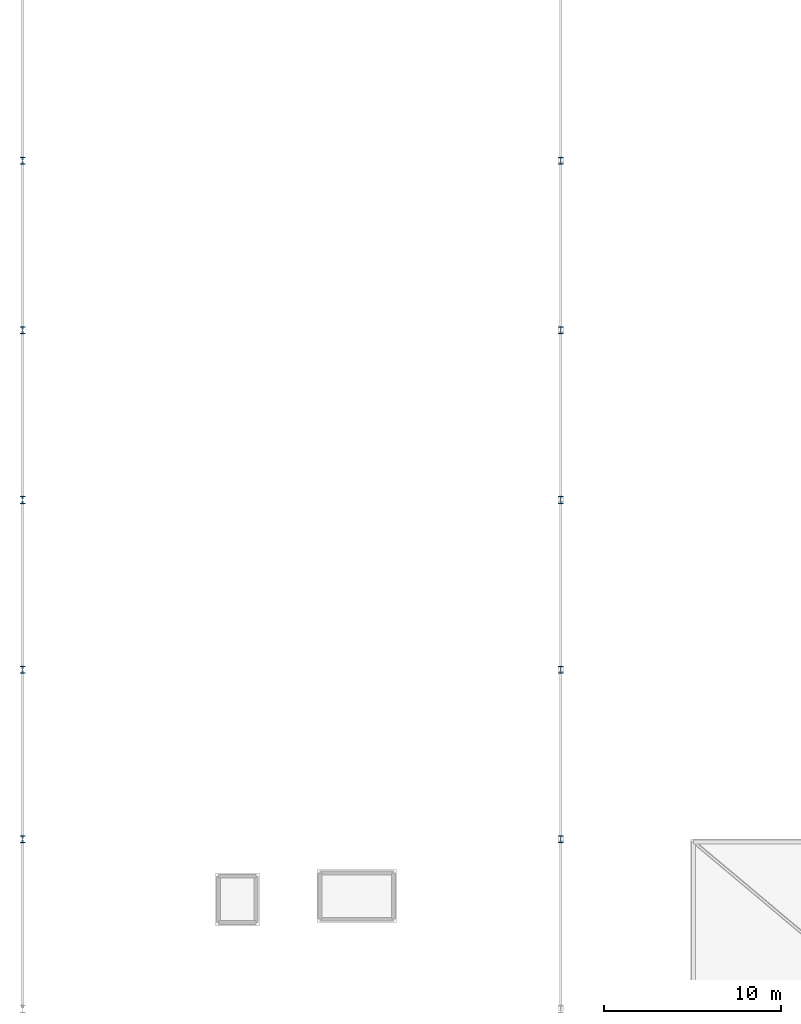
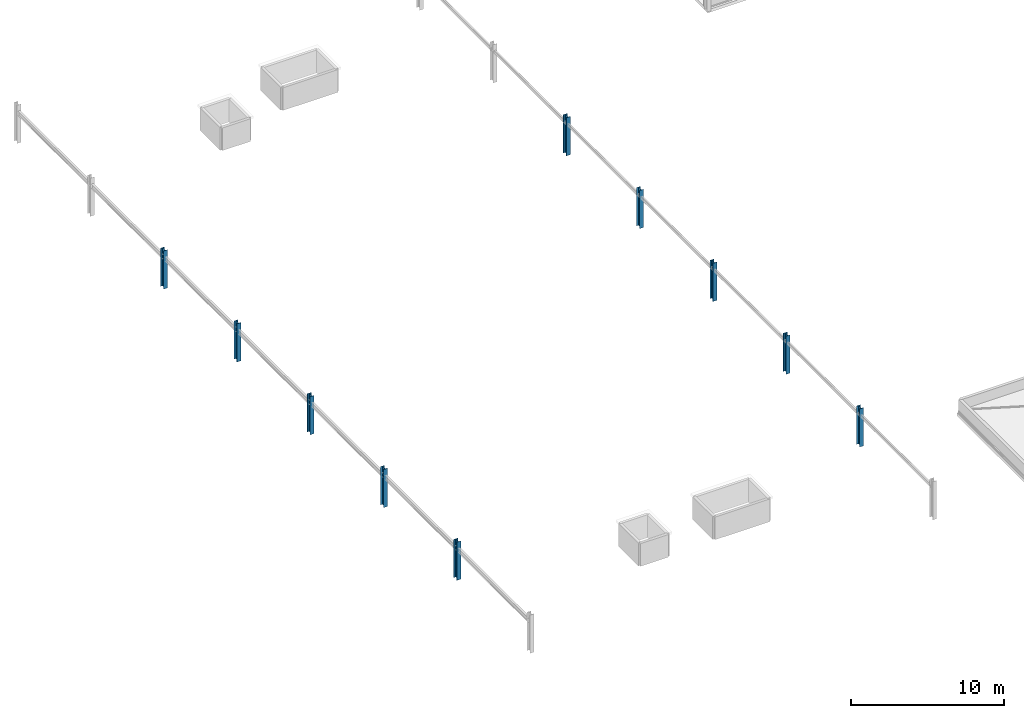
# One storey, part 3 of 25: 10 columns.
"""IFC4 building model written with IfcOpenShell, lengths in metres."""

import ifcopenshell
import ifcopenshell.guid

model = None  # the IFC model being written
_history = None  # IfcOwnerHistory: only IFC2X3 demands one
_inside = {}  # id of a spatial element -> (the spatial element, [elements in it])
_under = {}  # id of a project, library or spatial element -> (it, [spatial elements below it])
_declared = {}  # id of a project -> (the project, [libraries it declares])
_typed = {}  # id of a type object -> (the type object, [elements of that type])
_made_of = {}  # id of a material, layer set ... -> (it, [elements and type objects made of it])


def new_model(schema):
    """Start an empty IFC model of exactly this schema.

    Asked for "IFC4X3", IfcOpenShell would pick the latest addendum, in which some entities
    have other attributes; the version numbers below select the first issue.
    IFC2X3 requires an IfcOwnerHistory on every rooted entity: one is made here for all.
    """
    global model, _history
    if schema == "IFC4X3":
        model = ifcopenshell.file(schema_version=(4, 3, 0, 0))
    else:
        model = ifcopenshell.file(schema=schema)
    _inside.clear()
    _under.clear()
    _declared.clear()
    _typed.clear()
    _made_of.clear()
    _history = None
    if model.schema == "IFC2X3":
        org = make("IfcOrganization", Name="unknown")
        user = make(
            "IfcPersonAndOrganization",
            ThePerson=make("IfcPerson", FamilyName="unknown"),
            TheOrganization=org,
        )
        app = make(
            "IfcApplication",
            ApplicationDeveloper=org,
            Version="unknown",
            ApplicationFullName="unknown",
            ApplicationIdentifier="unknown",
        )
        _history = make(
            "IfcOwnerHistory",
            OwningUser=user,
            OwningApplication=app,
            ChangeAction="ADDED",
            CreationDate=0,
        )
    return model


def make(cls, **values):
    """One entity of the class cls with the attributes given. An attribute that is None is left unset."""
    return model.create_entity(
        cls, **{name: value for name, value in values.items() if value is not None}
    )


def rooted(cls, **values):
    """An entity with a GlobalId (a new one), such as an element, a storey or a relation."""
    return make(cls, GlobalId=ifcopenshell.guid.new(), OwnerHistory=_history, **values)


def si_unit(unit_type, name, prefix=None):
    """IfcSIUnit, for example si_unit("LENGTHUNIT", "METRE", prefix="MILLI")."""
    return make("IfcSIUnit", UnitType=unit_type, Prefix=prefix, Name=name)


def assignment(units):
    """IfcUnitAssignment: the units of a project."""
    return None if units is None else make("IfcUnitAssignment", Units=units)


def point(xyz):
    """IfcCartesianPoint."""
    return None if xyz is None else make("IfcCartesianPoint", Coordinates=xyz)


def direction(xyz):
    """IfcDirection."""
    return None if xyz is None else make("IfcDirection", DirectionRatios=xyz)


def frame(location, z_axis=None, x_axis=None):
    """IfcAxis2Placement3D, a coordinate frame: its origin and axes. An axis left out is left unset."""
    return make(
        "IfcAxis2Placement3D",
        Location=point(location),
        Axis=direction(z_axis),
        RefDirection=direction(x_axis),
    )


def frame_2d(location, x_axis=None):
    """IfcAxis2Placement2D, a coordinate frame in the plane: its origin and x axis."""
    return make(
        "IfcAxis2Placement2D", Location=point(location), RefDirection=direction(x_axis)
    )


def origin():
    """The frame at (0, 0, 0) with its axes left unset."""
    return frame((0.0, 0.0, 0.0))


def origin_2d():
    """The frame at (0, 0) in the plane with its x axis left unset."""
    return frame_2d((0.0, 0.0))


def place(relative_to, where):
    """IfcLocalPlacement: puts the frame where relative to a parent placement (None: the world)."""
    return make(
        "IfcLocalPlacement", PlacementRelTo=relative_to, RelativePlacement=where
    )


def context(
    kind, dimensions, precision=None, world=None, true_north=None, identifier=None
):
    """IfcGeometricRepresentationContext, for example the 3D "Model" context."""
    return make(
        "IfcGeometricRepresentationContext",
        ContextIdentifier=identifier,
        ContextType=kind,
        CoordinateSpaceDimension=dimensions,
        Precision=precision,
        WorldCoordinateSystem=world,
        TrueNorth=true_north,
    )


def subcontext(parent, identifier, kind, view, scale=None):
    """IfcGeometricRepresentationSubContext, for example "Body" below "Model"."""
    return make(
        "IfcGeometricRepresentationSubContext",
        ContextIdentifier=identifier,
        ContextType=kind,
        ParentContext=parent,
        TargetScale=scale,
        TargetView=view,
    )


def project(units=None, contexts=None):
    """IfcProject with its units and contexts."""
    return rooted(
        "IfcProject",
        Name="project",
        RepresentationContexts=contexts,
        UnitsInContext=assignment(units),
    )


def spatial(cls, under=None, at=None, **own):
    """A site, building, storey or space (cls), placed at a placement, below another one or the project."""
    s = rooted(cls, ObjectPlacement=at, **own)
    if under is not None:
        _under.setdefault(under.id(), (under, []))[1].append(s)
    return s


def profile(cls, at=None, kind="AREA", **sizes):
    """A parametric profile (cls). Its sizes go by their IFC names, for example OverallWidth=200.0."""
    return make(cls, ProfileType=kind, Position=at, **sizes)


def i_section(**sizes):
    """IfcIShapeProfileDef."""
    return profile("IfcIShapeProfileDef", **sizes)


def extrude(swept, where, along, depth):
    """IfcExtrudedAreaSolid: the profile swept, set in the frame where, extruded along a direction by depth."""
    return make(
        "IfcExtrudedAreaSolid",
        SweptArea=swept,
        Position=where,
        ExtrudedDirection=direction(along),
        Depth=depth,
    )


def shape(context_of_items, identifier, shape_type, items):
    """IfcShapeRepresentation: the items that make up one representation, for example the "Body"."""
    return make(
        "IfcShapeRepresentation",
        ContextOfItems=context_of_items,
        RepresentationIdentifier=identifier,
        RepresentationType=shape_type,
        Items=items,
    )


def material(Name=None, Category=None):
    """IfcMaterial."""
    return make("IfcMaterial", Name=Name, Category=Category)


def material_profile(
    of_material, cross_section, Name=None, Category=None, Priority=None
):
    """IfcMaterialProfile: a cross section and its material."""
    return make(
        "IfcMaterialProfile",
        Name=Name,
        Material=of_material,
        Profile=cross_section,
        Priority=Priority,
        Category=Category,
    )


def profile_set(profiles, Name=None, composite=None):
    """IfcMaterialProfileSet."""
    return make(
        "IfcMaterialProfileSet",
        Name=Name,
        MaterialProfiles=profiles,
        CompositeProfile=composite,
    )


def made_of(thing, what):
    """Note that an element or type object is made of a material, layer set ...; save() writes the relation."""
    if what is not None:
        _made_of.setdefault(what.id(), (what, []))[1].append(thing)
    return thing


def type_object(cls, material=None, **own):
    """A type object (cls), such as IfcWallType, which elements share."""
    return made_of(rooted(cls, **own), material)


def element(
    cls,
    number,
    at=None,
    inside=None,
    cuts=None,
    type_object=None,
    material=None,
    context=None,
    identifier="Body",
    shape_type=None,
    held_by="IfcProductDefinitionShape",
    body=None,
    shapes=None,
    **own,
):
    """One element of the class cls, such as IfcWall. Its Tag is "e" and its number.

    at: its placement. inside: the storey or other place that contains it. cuts: it is an
    opening in that element (IfcRelVoidsElement). A single representation is given by context,
    identifier, shape_type and body (its items); several are given by shapes. held_by: the class
    of the entity that holds the representations. save() writes the other relations.
    """
    e = rooted(cls, Tag="e%d" % number, ObjectPlacement=at, **own)
    if body is not None:
        shapes = [shape(context, identifier, shape_type, body)]
    if shapes is not None:
        e.Representation = make(held_by, Representations=shapes)
    if inside is not None:
        _inside.setdefault(inside.id(), (inside, []))[1].append(e)
    if cuts is not None:
        rooted(
            "IfcRelVoidsElement", RelatingBuildingElement=cuts, RelatedOpeningElement=e
        )
    if type_object is not None:
        _typed.setdefault(type_object.id(), (type_object, []))[1].append(e)
    return made_of(e, material)


def aggregate(whole, parts):
    """IfcRelAggregates: a whole, such as a stair, and the parts it consists of."""
    return rooted("IfcRelAggregates", RelatingObject=whole, RelatedObjects=parts)


def save(model, path):
    """Write the relations noted so far, then the file.

    IfcRelAggregates (storeys below a building ...), IfcRelContainedInSpatialStructure (elements
    in a storey), IfcRelDefinesByType, IfcRelAssociatesMaterial and IfcRelDeclares: one each for
    every whole, place, type object, material and project.
    """
    for whole, parts in _under.values():
        aggregate(whole, parts)
    for where, things in _inside.values():
        rooted(
            "IfcRelContainedInSpatialStructure",
            RelatedElements=things,
            RelatingStructure=where,
        )
    for kind, things in _typed.values():
        rooted("IfcRelDefinesByType", RelatedObjects=things, RelatingType=kind)
    for what, things in _made_of.values():
        rooted("IfcRelAssociatesMaterial", RelatedObjects=things, RelatingMaterial=what)
    for by, libraries in _declared.values():
        rooted("IfcRelDeclares", RelatingContext=by, RelatedDefinitions=libraries)
    model.write(path)


model = new_model("IFC4")

# Units and contexts
model_context = context("Model", 3, precision=1e-05, world=origin(), true_north=direction((0.0, 1.0)))
body_context = subcontext(model_context, "Body", "Model", "MODEL_VIEW")
ifc_project = project(units=[si_unit("LENGTHUNIT", "METRE"), si_unit("AREAUNIT", "SQUARE_METRE"), si_unit("VOLUMEUNIT", "CUBIC_METRE"), si_unit("PLANEANGLEUNIT", "RADIAN"), si_unit("MASSUNIT", "GRAM", prefix="KILO")], contexts=[model_context])

# Site, building, storey
site_placement = place(None, origin())
site = spatial("IfcSite", under=ifc_project, at=site_placement, CompositionType="ELEMENT")
building_placement = place(site_placement, origin())
building = spatial("IfcBuilding", under=site, at=building_placement, Name="Myrtia Square Station", CompositionType="ELEMENT")
storey_placement = place(building_placement, frame((0.0, 0.0, 18.89990234375)))
storey = spatial("IfcBuildingStorey", under=building, at=storey_placement, Name="L04", CompositionType="ELEMENT", Elevation=18.89990234375)

# Columns
ifc_material = material(Name="Steel S355", Category="steel")
ifc_material_profile = material_profile(ifc_material, i_section(OverallWidth=0.300048828125, OverallDepth=0.39990234375, WebThickness=0.013427734375, FlangeThickness=0.02392578125, FilletRadius=0.027099609375, at=origin_2d()), Name="HEB 400")
ifc_profile_set = profile_set([ifc_material_profile], Name="Steel S355")
column_type = type_object("IfcColumnType", Name="COL-HEB400", PredefinedType="COLUMN", material=ifc_profile_set)
for number, where, z_axis, x_axis, name in (
    (1, (79.35009765625, 38.39990234375, 0.0), (0.0, 0.0, 1.0), (1.0, 0.0, 0.0), "Column L04-0278"),
    (2, (109.800048828125, 38.39990234375, 0.0), (0.0, 0.0, 1.0), (1.0, 0.0, 0.0), "Column L04-0284"),
    (3, (79.35009765625, 48.0, 0.0), (0.0, 0.0, 1.0), (1.0, 0.0, 0.0), "Column L04-0300"),
    (4, (109.800048828125, 48.0, 0.0), (0.0, 0.0, 1.0), (1.0, 0.0, 0.0), "Column L04-0306"),
    (5, (79.35009765625, 57.60009765625, 0.0), (0.0, 0.0, 1.0), (1.0, 0.0, 0.0), "Column L04-0322"),
    (6, (109.800048828125, 57.60009765625, 0.0), (0.0, 0.0, 1.0), (1.0, 0.0, 0.0), "Column L04-0328"),
    (7, (79.35009765625, 67.199951171875, 0.0), (0.0, 0.0, 1.0), (1.0, 0.0, 0.0), "Column L04-0344"),
    (8, (109.800048828125, 67.199951171875, 0.0), (0.0, 0.0, 1.0), (1.0, 0.0, 0.0), "Column L04-0350"),
    (9, (79.35009765625, 76.800048828125, 0.0), (0.0, 0.0, 1.0), (1.0, 0.0, 0.0), "Column L04-0366"),
    (10, (109.800048828125, 76.800048828125, 0.0), (0.0, 0.0, 1.0), (1.0, 0.0, 0.0), "Column L04-0372"),
):
    element("IfcColumn", number, at=place(storey_placement, frame(where, z_axis=z_axis, x_axis=x_axis)), inside=storey, type_object=column_type, Name=name, PredefinedType="COLUMN", context=body_context, shape_type="SweptSolid", body=[
        extrude(i_section(OverallWidth=0.300048828125, OverallDepth=0.39990234375, WebThickness=0.013427734375, FlangeThickness=0.02392578125, FilletRadius=0.027099609375, at=origin_2d()), origin(), (0.0, 0.0, 1.0), 3.050048828125),
    ])

save(model, "model.ifc")
